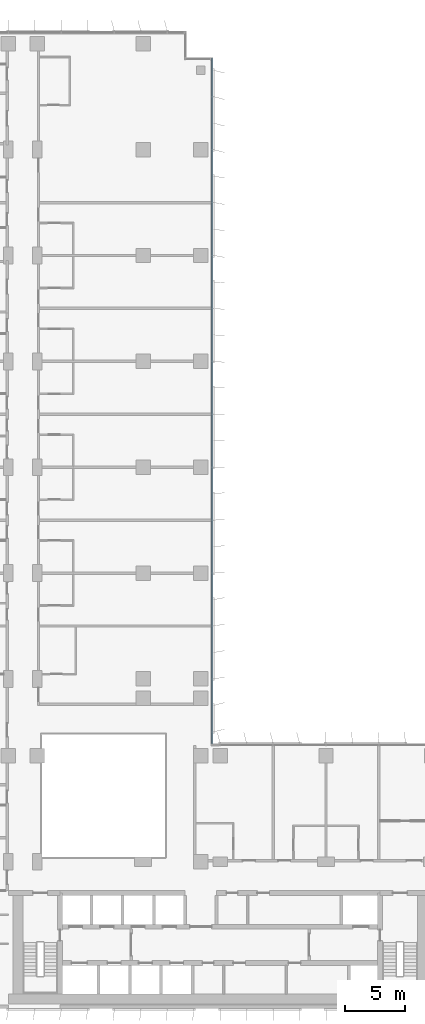
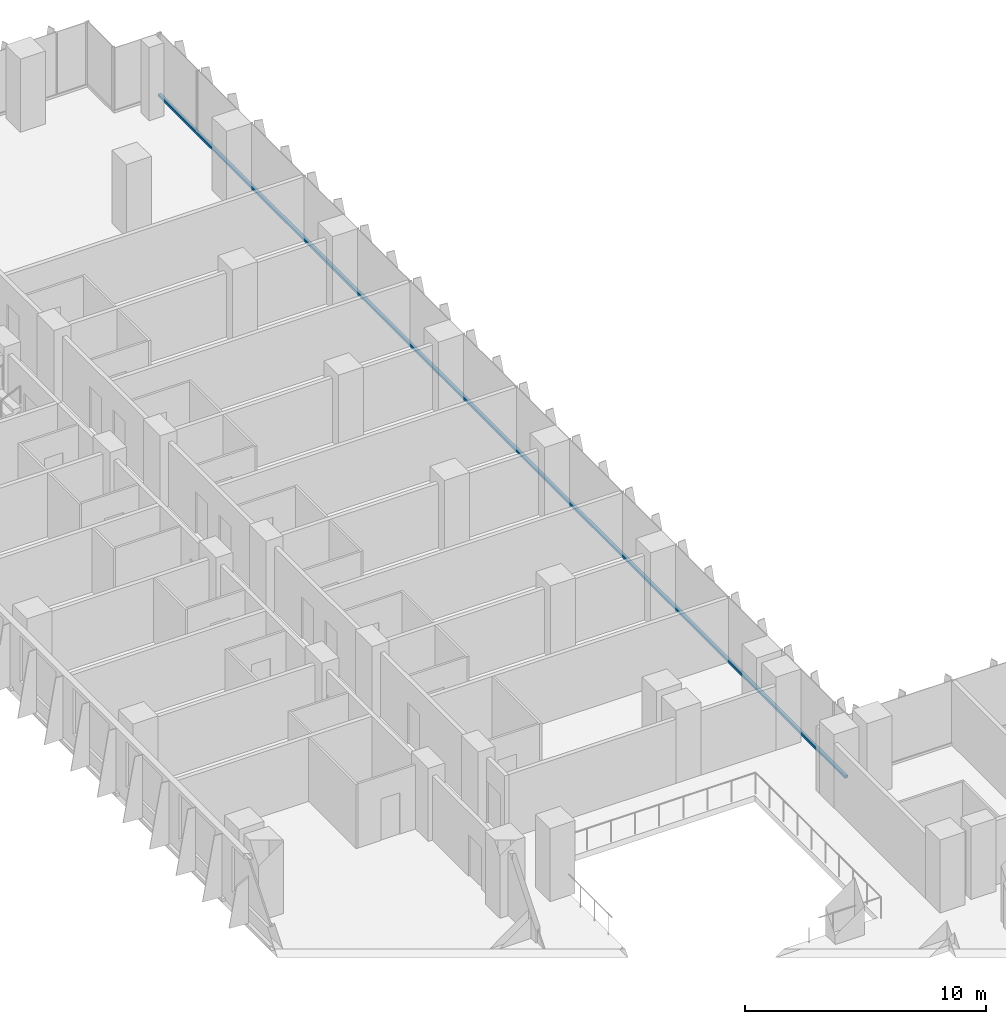
# One storey, part 6 of 22: 1 member, 1 element without a shape of its own.
"""IFC4 building model written with IfcOpenShell, lengths in metres."""

from ifc_helpers import new_model, si_unit, direction, frame, origin, origin_2d, place, context, subcontext, project, spatial, rectangle, extrude, material, material_profile, profile_set, type_object, element, aggregate, save


model = new_model("IFC4")

# Units and contexts
model_context = context("Model", 3, precision=1e-05, world=origin(), true_north=direction((0.0, 1.0)))
body_context = subcontext(model_context, "Body", "Model", "MODEL_VIEW")
ifc_project = project(units=[si_unit("LENGTHUNIT", "METRE"), si_unit("AREAUNIT", "SQUARE_METRE"), si_unit("VOLUMEUNIT", "CUBIC_METRE"), si_unit("PLANEANGLEUNIT", "RADIAN"), si_unit("MASSUNIT", "GRAM", prefix="KILO")], contexts=[model_context])

# Site, building, storey
site_placement = place(None, origin())
site = spatial("IfcSite", under=ifc_project, at=site_placement, CompositionType="ELEMENT")
building_placement = place(site_placement, origin())
building = spatial("IfcBuilding", under=site, at=building_placement, Name="Kemantara Hotel Tower", CompositionType="ELEMENT")
storey_placement = place(building_placement, frame((0.0, 0.0, 129.60009765625)))
storey = spatial("IfcBuildingStorey", under=building, at=storey_placement, Name="L31", CompositionType="ELEMENT", Elevation=129.60009765625)

# Curtain wall, member
ifc_material_1 = material(Name="Low-E tinted double insulated glass 36 mm", Category="glass")
curtain_wall_type = type_object("IfcCurtainWallType", Name="TOWER CURTAIN WALL, FRONT FACES", PredefinedType="USERDEFINED", material=ifc_material_1)
curtain_wall_placement = place(storey_placement, origin())
curtain_wall = element("IfcCurtainWall", 1, at=curtain_wall_placement, inside=storey, type_object=curtain_wall_type, Name="CW4 L31 T2-R14-1", ObjectType="TOWER CURTAIN WALL, FRONT FACES", PredefinedType="USERDEFINED")
ifc_material_2 = material(Name="Aluminium 6063-T6 bronze anodised", Category="aluminium")
ifc_material_profile = material_profile(ifc_material_2, rectangle(XDim=0.14990234375, YDim=0.1201171875, at=origin_2d()), Name="TOWER CURTAIN WALL, FRONT FACES TRANSOM")
ifc_profile_set = profile_set([ifc_material_profile], Name="Aluminium 6063-T6 bronze anodised")
member_type = type_object("IfcMemberType", Name="TOWER CURTAIN WALL, FRONT FACES TRANSOM", PredefinedType="USERDEFINED", material=ifc_profile_set)
member_placement = place(storey_placement, frame((26.72509765625, 22.0, 0.059814453125), z_axis=(0.0, 1.0, 0.0), x_axis=(-1.0, 0.0, 0.0)))
member = element("IfcMember", 2, at=member_placement, type_object=member_type, Name="CW4 sill transom T2-R14-1", ObjectType="TRANSOM", PredefinedType="USERDEFINED", context=body_context, shape_type="SweptSolid", body=[
    extrude(rectangle(XDim=0.14990234375, YDim=0.1201171875, at=origin_2d()), origin(), (0.0, 0.0, 1.0), 57.0),
])
aggregate(curtain_wall, [member])

save(model, "model.ifc")
